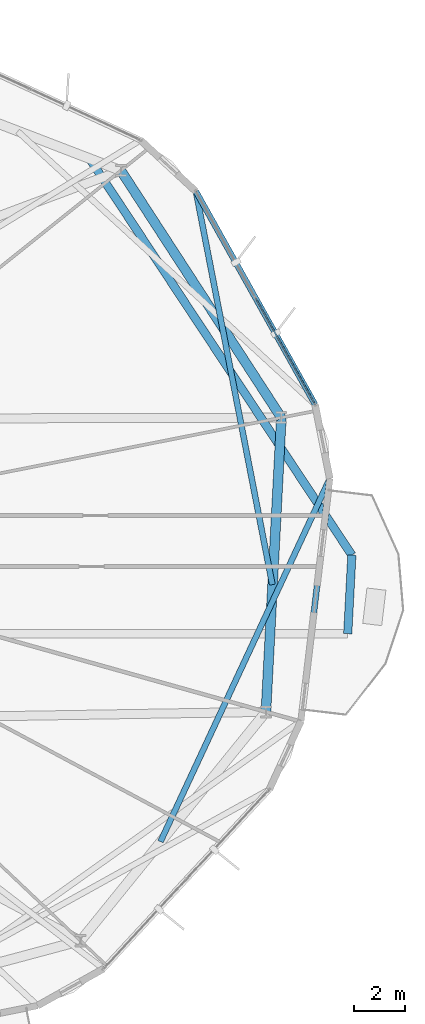
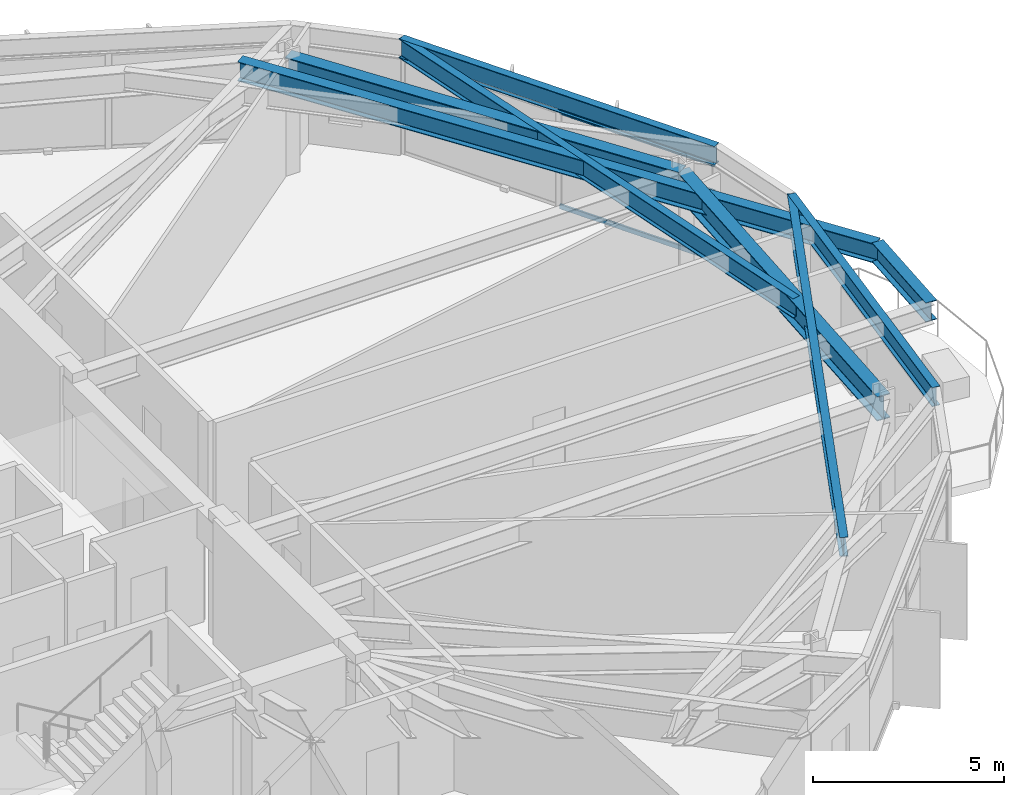
# One storey, part 10 of 22: 8 beams, 3 members, 1 element without a shape of its own.
"""IFC4 building model written with IfcOpenShell, lengths in metres."""

from ifc_helpers import new_model, si_unit, direction, frame, origin, origin_2d, place, context, subcontext, project, spatial, hollow_rectangle, i_section, extrude, material, layer, layer_set, material_profile, profile_set, type_object, element, aggregate, save


model = new_model("IFC4")

# Units and contexts
model_context = context("Model", 3, precision=1e-05, world=origin(), true_north=direction((0.0, 1.0)))
body_context = subcontext(model_context, "Body", "Model", "MODEL_VIEW")
ifc_project = project(units=[si_unit("LENGTHUNIT", "METRE"), si_unit("AREAUNIT", "SQUARE_METRE"), si_unit("VOLUMEUNIT", "CUBIC_METRE"), si_unit("PLANEANGLEUNIT", "RADIAN"), si_unit("MASSUNIT", "GRAM", prefix="KILO")], contexts=[model_context])

# Site, building, storey
site_placement = place(None, origin())
site = spatial("IfcSite", under=ifc_project, at=site_placement, CompositionType="ELEMENT")
building_placement = place(site_placement, origin())
building = spatial("IfcBuilding", under=site, at=building_placement, Name="Soratama Intermodal Tower", CompositionType="ELEMENT")
storey_placement = place(building_placement, frame((0.0, 0.0, 70.60009765625)))
storey = spatial("IfcBuildingStorey", under=building, at=storey_placement, Name="L16", CompositionType="ELEMENT", Elevation=70.60009765625)

# Beams
ifc_material_1 = material(Name="Structural steel ASTM A992 Grade 50", Category="steel")
ifc_material_profile_1 = material_profile(ifc_material_1, i_section(OverallWidth=0.324951171875, OverallDepth=0.615966796875, WebThickness=0.013916015625, FlangeThickness=0.021484375, FilletRadius=0.013916015625, at=origin_2d()), Name="W24X117")
ifc_profile_set_1 = profile_set([ifc_material_profile_1], Name="Structural steel ASTM A992 Grade 50")
beam_type_1 = type_object("IfcBeamType", Name="BM-CANT-W24X117", PredefinedType="BEAM", material=ifc_profile_set_1)
beam_1_placement = place(storey_placement, frame((65.68994140625, 21.361083984375, 3.391845703125), z_axis=(0.052442762618, 0.998623931542, 0.0), x_axis=(-0.998623931542, 0.052442762618, 0.0)))
element("IfcBeam", 1, at=beam_1_placement, inside=storey, type_object=beam_type_1, Name="BM-L16-CBHDR-1", PredefinedType="BEAM", context=body_context, shape_type="SweptSolid", body=[
    extrude(i_section(OverallWidth=0.324951171875, OverallDepth=0.615966796875, WebThickness=0.013916015625, FlangeThickness=0.021484375, FilletRadius=0.013916015625, at=origin_2d()), origin(), (0.0, 0.0, 1.0), 3.091064453125),
])
beam_2_placement = place(storey_placement, frame((55.572998046875, 39.987060546875, 3.391845703125), z_axis=(0.551711970509, -0.834034712466, 0.0), x_axis=(0.834034712466, 0.551711970509, 0.0)))
element("IfcBeam", 2, at=beam_2_placement, inside=storey, type_object=beam_type_1, Name="BM-L16-CANT-1-2", PredefinedType="BEAM", context=body_context, shape_type="SweptSolid", body=[
    extrude(i_section(OverallWidth=0.324951171875, OverallDepth=0.615966796875, WebThickness=0.013916015625, FlangeThickness=0.021484375, FilletRadius=0.013916015625, at=origin_2d()), origin(), (0.0, 0.0, 1.0), 18.631103515625),
])
ifc_material_2 = material(Name="Structural steel ASTM A992 Grade 50", Category="steel")
ifc_material_profile_2 = material_profile(ifc_material_2, i_section(OverallWidth=0.382080078125, OverallDepth=0.779052734375, WebThickness=0.01806640625, FlangeThickness=0.030029296875, FilletRadius=0.01806640625, at=origin_2d()), Name="W30X191")
ifc_profile_set_2 = profile_set([ifc_material_profile_2], Name="Structural steel ASTM A992 Grade 50")
beam_type_2 = type_object("IfcBeamType", Name="BM-RING-W30X191", PredefinedType="BEAM", material=ifc_profile_set_2)
beam_3_placement = place(storey_placement, frame((63.08203125, 29.844970703125, 3.310302734375), z_axis=(-0.544623370352, 0.838680740489, 0.0), x_axis=(-0.838680740489, -0.544623370352, 0.0)))
element("IfcBeam", 3, at=beam_3_placement, inside=storey, type_object=beam_type_2, Name="BM-L16-RING-01", PredefinedType="BEAM", context=body_context, shape_type="SweptSolid", body=[
    extrude(i_section(OverallWidth=0.382080078125, OverallDepth=0.779052734375, WebThickness=0.01806640625, FlangeThickness=0.030029296875, FilletRadius=0.01806640625, at=origin_2d()), origin(), (0.0, 0.0, 1.0), 11.569580078125),
])
beam_4_placement = place(storey_placement, frame((62.47705078125, 18.291015625, 3.310302734375), z_axis=(0.052289698717, 0.998631957935, 0.0), x_axis=(-0.998631957935, 0.052289698717, 0.0)))
element("IfcBeam", 4, at=beam_4_placement, inside=storey, type_object=beam_type_2, Name="BM-L16-RING-10", PredefinedType="BEAM", context=body_context, shape_type="SweptSolid", body=[
    extrude(i_section(OverallWidth=0.382080078125, OverallDepth=0.779052734375, WebThickness=0.01806640625, FlangeThickness=0.030029296875, FilletRadius=0.01806640625, at=origin_2d()), origin(), (0.0, 0.0, 1.0), 11.56982421875),
])
ifc_material_3 = material(Name="Structural steel ASTM A992 Grade 50", Category="steel")
ifc_material_profile_3 = material_profile(ifc_material_3, i_section(OverallWidth=0.22900390625, OverallDepth=0.612060546875, WebThickness=0.011962890625, FlangeThickness=0.01953125, FilletRadius=0.012939453125, at=origin_2d()), Name="W24X84")
ifc_profile_set_3 = profile_set([ifc_material_profile_3], Name="Structural steel ASTM A992 Grade 50")
beam_type_3 = type_object("IfcBeamType", Name="BM-SPN-W24X84", PredefinedType="SPANDREL", material=ifc_profile_set_3)
beam_5_placement = place(storey_placement, frame((64.408935546875, 30.362060546875, 3.393798828125), z_axis=(-0.488109476616, 0.872782412081, 0.0), x_axis=(-0.872782412081, -0.488109476616, 0.0)))
element("IfcBeam", 5, at=beam_5_placement, inside=storey, type_object=beam_type_3, Name="BS-L16-F01", PredefinedType="SPANDREL", context=body_context, shape_type="SweptSolid", body=[
    extrude(i_section(OverallWidth=0.22900390625, OverallDepth=0.612060546875, WebThickness=0.011962890625, FlangeThickness=0.01953125, FilletRadius=0.012939453125, at=origin_2d()), origin(), (0.0, 0.0, 1.0), 9.58984375),
])
beam_6_placement = place(storey_placement, frame((63.85400390625, 17.929931640625, 3.393798828125), z_axis=(0.118047931698, 0.993007898167, 0.0), x_axis=(-0.993007898167, 0.118047931698, 0.0)))
element("IfcBeam", 6, at=beam_6_placement, inside=storey, type_object=beam_type_3, Name="BS-L16-F10", PredefinedType="SPANDREL", context=body_context, shape_type="SweptSolid", body=[
    extrude(i_section(OverallWidth=0.22900390625, OverallDepth=0.612060546875, WebThickness=0.011962890625, FlangeThickness=0.01953125, FilletRadius=0.012939453125, at=origin_2d()), origin(), (0.0, 0.0, 1.0), 9.590087890625),
])
ifc_material_4 = material(Name="Structural steel ASTM A992 Grade 50", Category="steel")
ifc_material_profile_4 = material_profile(ifc_material_4, i_section(OverallWidth=0.22900390625, OverallDepth=0.612060546875, WebThickness=0.011962890625, FlangeThickness=0.01953125, FilletRadius=0.012939453125, at=origin_2d()), Name="W24X84")
ifc_profile_set_4 = profile_set([ifc_material_profile_4], Name="Structural steel ASTM A992 Grade 50")
beam_type_4 = type_object("IfcBeamType", Name="BM-TIE-W24X84", PredefinedType="BEAM", material=ifc_profile_set_4)
beam_7_placement = place(storey_placement, frame((62.72900390625, 23.287109375, 3.393798828125), z_axis=(-0.190735922039, 0.981641384643, 0.0), x_axis=(-0.981641384643, -0.190735922039, 0.0)))
element("IfcBeam", 7, at=beam_7_placement, inside=storey, type_object=beam_type_4, Name="BM-L16-TIE1-01", PredefinedType="BEAM", context=body_context, shape_type="SweptSolid", body=[
    extrude(i_section(OverallWidth=0.22900390625, OverallDepth=0.612060546875, WebThickness=0.011962890625, FlangeThickness=0.01953125, FilletRadius=0.012939453125, at=origin_2d()), origin(), (0.0, 0.0, 1.0), 15.733642578125),
])
beam_8_placement = place(storey_placement, frame((58.3359375, 13.194091796875, 3.393798828125), z_axis=(0.422679027355, 0.906279449085, 0.0), x_axis=(-0.906279449085, 0.422679027355, 0.0)))
element("IfcBeam", 8, at=beam_8_placement, inside=storey, type_object=beam_type_4, Name="BM-L16-TIE1-10", PredefinedType="BEAM", context=body_context, shape_type="SweptSolid", body=[
    extrude(i_section(OverallWidth=0.22900390625, OverallDepth=0.612060546875, WebThickness=0.011962890625, FlangeThickness=0.01953125, FilletRadius=0.012939453125, at=origin_2d()), origin(), (0.0, 0.0, 1.0), 15.7333984375),
])

# Curtain wall, members
ifc_material_5 = material(Name="Double-glazed aluminium curtain wall", Category="aluminium")
ifc_layer = layer(ifc_material_5, 0.159912109375)
ifc_layer_set = layer_set([ifc_layer], Name="Double-glazed aluminium curtain wall")
curtain_wall_type = type_object("IfcCurtainWallType", Name="CW-SYS-2", PredefinedType="NOTDEFINED", material=ifc_layer_set)
curtain_wall_placement = place(storey_placement, origin())
curtain_wall = element("IfcCurtainWall", 9, at=curtain_wall_placement, inside=storey, type_object=curtain_wall_type, Name="L16 Faceted Curtain Wall F01", PredefinedType="NOTDEFINED")
ifc_material_6 = material(Name="Anodised aluminium AA 6063-T6", Category="aluminium")
ifc_material_profile_5 = material_profile(ifc_material_6, hollow_rectangle(XDim=0.06494140625, YDim=0.14990234375, WallThickness=0.0048828125, InnerFilletRadius=0.0048828125, OuterFilletRadius=0.010009765625, at=origin_2d()), Name="CWT150X65X5")
ifc_profile_set_5 = profile_set([ifc_material_profile_5], Name="Anodised aluminium AA 6063-T6")
member_type = type_object("IfcMemberType", Name="TT-CWT-1", PredefinedType="USERDEFINED", material=ifc_profile_set_5)
member_1_placement = place(storey_placement, frame((64.3798828125, 30.41455078125, 0.02978515625), z_axis=(-0.488183007935, 0.872741285126, 0.0), x_axis=(-0.872741285126, -0.488183007935, 0.0)))
member_1 = element("IfcMember", 10, at=member_1_placement, type_object=member_type, Name="CW-2 transom 1.1", ObjectType="TRANSOM", PredefinedType="USERDEFINED", context=body_context, shape_type="SweptSolid", body=[
    extrude(hollow_rectangle(XDim=0.06494140625, YDim=0.14990234375, WallThickness=0.0048828125, InnerFilletRadius=0.0048828125, OuterFilletRadius=0.010009765625, at=origin_2d()), origin(), (0.0, 0.0, 1.0), 4.704833984375),
])
member_2_placement = place(storey_placement, frame((64.3798828125, 30.41455078125, 2.14990234375), z_axis=(-0.488183007935, 0.872741285126, 0.0), x_axis=(-0.872741285126, -0.488183007935, 0.0)))
member_2 = element("IfcMember", 11, at=member_2_placement, type_object=member_type, Name="CW-2 transom 1.2", ObjectType="TRANSOM", PredefinedType="USERDEFINED", context=body_context, shape_type="SweptSolid", body=[
    extrude(hollow_rectangle(XDim=0.06494140625, YDim=0.14990234375, WallThickness=0.0048828125, InnerFilletRadius=0.0048828125, OuterFilletRadius=0.010009765625, at=origin_2d()), origin(), (0.0, 0.0, 1.0), 4.704833984375),
])
member_3_placement = place(storey_placement, frame((64.3798828125, 30.41455078125, 3.048828125), z_axis=(-0.488183007935, 0.872741285126, 0.0), x_axis=(-0.872741285126, -0.488183007935, 0.0)))
member_3 = element("IfcMember", 12, at=member_3_placement, type_object=member_type, Name="CW-2 transom 1.3", ObjectType="TRANSOM", PredefinedType="USERDEFINED", context=body_context, shape_type="SweptSolid", body=[
    extrude(hollow_rectangle(XDim=0.06494140625, YDim=0.14990234375, WallThickness=0.0048828125, InnerFilletRadius=0.0048828125, OuterFilletRadius=0.010009765625, at=origin_2d()), origin(), (0.0, 0.0, 1.0), 4.704833984375),
])
aggregate(curtain_wall, [member_1, member_2, member_3])

save(model, "model.ifc")
